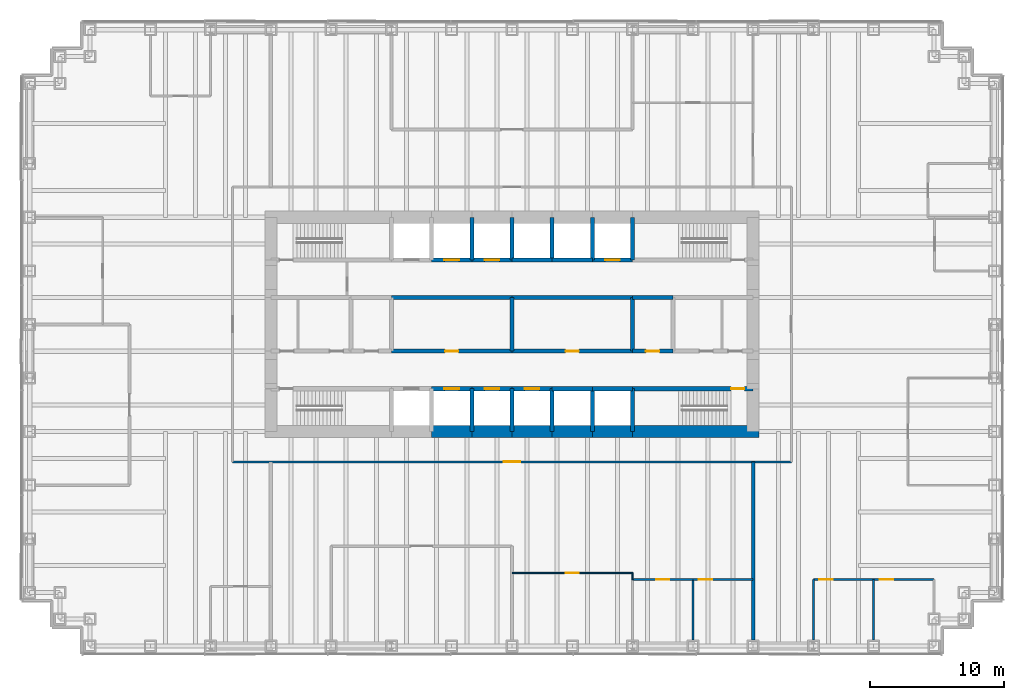
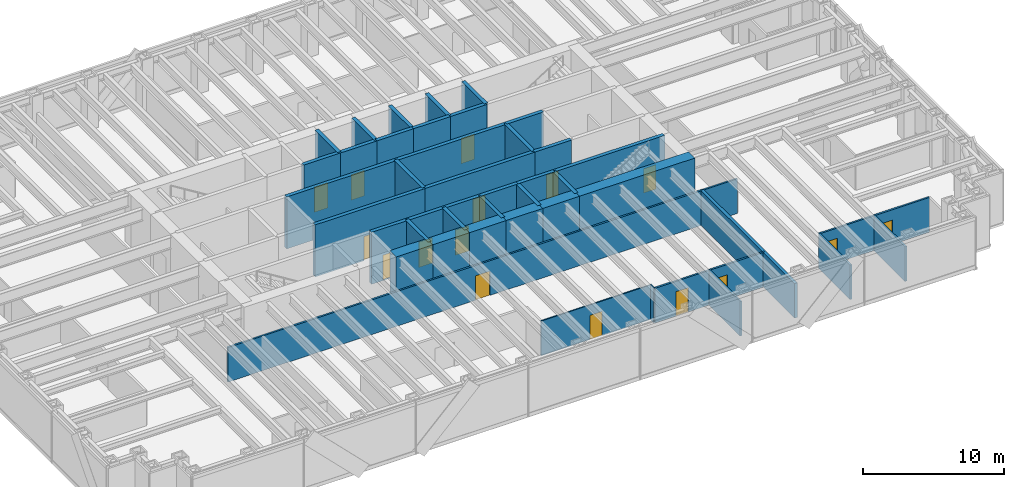
# One storey, part 10 of 13: 45 walls, 16 doors, 16 openings.
"""IFC4 building model written with IfcOpenShell, lengths in metres."""

from ifc_helpers import new_model, si_unit, direction, frame, frame_2d, origin, place, context, subcontext, project, spatial, rectangle, extrude, material, layer, layer_set, type_object, element, fill, save


model = new_model("IFC4")

# Units and contexts
model_context = context("Model", 3, precision=1e-05, world=origin(), true_north=direction((0.0, 1.0)))
body_context = subcontext(model_context, "Body", "Model", "MODEL_VIEW")
ifc_project = project(units=[si_unit("LENGTHUNIT", "METRE"), si_unit("AREAUNIT", "SQUARE_METRE"), si_unit("VOLUMEUNIT", "CUBIC_METRE"), si_unit("PLANEANGLEUNIT", "RADIAN"), si_unit("MASSUNIT", "GRAM", prefix="KILO")], contexts=[model_context])

# Site, building, storey
site_placement = place(None, origin())
site = spatial("IfcSite", under=ifc_project, at=site_placement, CompositionType="ELEMENT")
building_placement = place(site_placement, origin())
building = spatial("IfcBuilding", under=site, at=building_placement, Name="Rheinbord Bourse Tower", CompositionType="ELEMENT")
storey_placement = place(building_placement, frame((0.0, 0.0, 81.5)))
storey = spatial("IfcBuildingStorey", under=building, at=storey_placement, Name="L17", CompositionType="ELEMENT", Elevation=81.5)

# Wall, opening, door
ifc_material_1 = material(Name="Concrete C50/60", Category="concrete")
ifc_layer_1 = layer(ifc_material_1, 0.300048828125)
ifc_layer_set_1 = layer_set([ifc_layer_1], Name="CORE INNER WALL 300")
wall_type_1 = type_object("IfcWallType", Name="CORE INNER WALL 300", PredefinedType="SOLIDWALL", material=ifc_layer_set_1)
wall_1_placement = place(storey_placement, frame((30.0, 19.199951171875, 0.0), z_axis=(0.0, 0.0, 1.0), x_axis=(1.0, 0.0, 0.0)))
wall_1 = element("IfcWall", 1, at=wall_1_placement, inside=storey, type_object=wall_type_1, Name="Core wall A3 L17", PredefinedType="SOLIDWALL", context=body_context, shape_type="SweptSolid", body=[
    extrude(rectangle(XDim=3.0, YDim=0.300048828125, at=frame_2d((1.5, 0.0))), origin(), (0.0, 0.0, 1.0), 4.5),
])
opening_1_placement = place(wall_1_placement, frame((0.949951171875, 0.0, 0.0)))
opening_1 = element("IfcOpeningElement", 2, at=opening_1_placement, cuts=wall_1, Name="Opening PA1", PredefinedType="OPENING", context=body_context, shape_type="SweptSolid", body=[
    extrude(rectangle(XDim=1.10009765625, YDim=2.199951171875, at=frame_2d((0.550048828125, 1.10009765625))), frame((0.0, 0.159912109375, 0.0), z_axis=(0.0, -1.0, 0.0), x_axis=(1.0, 0.0, 0.0)), (0.0, 0.0, 1.0), 0.320068359375),
])
ifc_material_2 = material(Name="Steel landing door", Category="steel")
door_type_1 = type_object("IfcDoorType", Name="LIFT LANDING DOOR 1100", OperationType="DOUBLE_DOOR_SLIDING", PredefinedType="USERDEFINED", material=ifc_material_2)
door_1_placement = place(opening_1_placement, origin())
door_1 = element("IfcDoor", 3, at=door_1_placement, inside=storey, type_object=door_type_1, Name="Lift landing door PA1 L17", ObjectType="LIFT LANDING DOOR", OperationType="DOUBLE_DOOR_SLIDING", OverallHeight=2.199951171875, OverallWidth=1.10009765625, PredefinedType="USERDEFINED", context=body_context, shape_type="SweptSolid", body=[
    extrude(rectangle(XDim=1.10009765625, YDim=2.199951171875, at=frame_2d((0.550048828125, 1.10009765625))), frame((0.0, 0.02490234375, 0.0), z_axis=(0.0, -1.0, 0.0), x_axis=(1.0, 0.0, 0.0)), (0.0, 0.0, 1.0), 0.050048828125),
])
fill(opening_1, door_1)

wall_2_placement = place(storey_placement, frame((33.0, 19.199951171875, 0.0), z_axis=(0.0, 0.0, 1.0), x_axis=(1.0, 0.0, 0.0)))
wall_2 = element("IfcWall", 4, at=wall_2_placement, inside=storey, type_object=wall_type_1, Name="Core wall A4 L17", PredefinedType="SOLIDWALL", context=body_context, shape_type="SweptSolid", body=[
    extrude(rectangle(XDim=3.0, YDim=0.300048828125, at=frame_2d((1.5, 0.0))), origin(), (0.0, 0.0, 1.0), 4.5),
])
opening_2_placement = place(wall_2_placement, frame((0.949951171875, 0.0, 0.0)))
opening_2 = element("IfcOpeningElement", 5, at=opening_2_placement, cuts=wall_2, Name="Opening PA2", PredefinedType="OPENING", context=body_context, shape_type="SweptSolid", body=[
    extrude(rectangle(XDim=1.10009765625, YDim=2.199951171875, at=frame_2d((0.550048828125, 1.10009765625))), frame((0.0, 0.159912109375, 0.0), z_axis=(0.0, -1.0, 0.0), x_axis=(1.0, 0.0, 0.0)), (0.0, 0.0, 1.0), 0.320068359375),
])
door_2_placement = place(opening_2_placement, origin())
door_2 = element("IfcDoor", 6, at=door_2_placement, inside=storey, type_object=door_type_1, Name="Lift landing door PA2 L17", ObjectType="LIFT LANDING DOOR", OperationType="DOUBLE_DOOR_SLIDING", OverallHeight=2.199951171875, OverallWidth=1.10009765625, PredefinedType="USERDEFINED", context=body_context, shape_type="SweptSolid", body=[
    extrude(rectangle(XDim=1.10009765625, YDim=2.199951171875, at=frame_2d((0.550048828125, 1.10009765625))), frame((0.0, 0.02490234375, 0.0), z_axis=(0.0, -1.0, 0.0), x_axis=(1.0, 0.0, 0.0)), (0.0, 0.0, 1.0), 0.050048828125),
])
fill(opening_2, door_2)

wall_3_placement = place(storey_placement, frame((36.0, 19.199951171875, 0.0), z_axis=(0.0, 0.0, 1.0), x_axis=(1.0, 0.0, 0.0)))
wall_3 = element("IfcWall", 7, at=wall_3_placement, inside=storey, type_object=wall_type_1, Name="Core wall A5 L17", PredefinedType="SOLIDWALL", context=body_context, shape_type="SweptSolid", body=[
    extrude(rectangle(XDim=3.0, YDim=0.300048828125, at=frame_2d((1.5, 0.0))), origin(), (0.0, 0.0, 1.0), 4.5),
])
opening_3_placement = place(wall_3_placement, frame((0.949951171875, 0.0, 0.0)))
opening_3 = element("IfcOpeningElement", 8, at=opening_3_placement, cuts=wall_3, Name="Opening PA3", PredefinedType="OPENING", context=body_context, shape_type="SweptSolid", body=[
    extrude(rectangle(XDim=1.10009765625, YDim=2.199951171875, at=frame_2d((0.550048828125, 1.10009765625))), frame((0.0, 0.159912109375, 0.0), z_axis=(0.0, -1.0, 0.0), x_axis=(1.0, 0.0, 0.0)), (0.0, 0.0, 1.0), 0.320068359375),
])
door_3_placement = place(opening_3_placement, origin())
door_3 = element("IfcDoor", 9, at=door_3_placement, inside=storey, type_object=door_type_1, Name="Lift landing door PA3 L17", ObjectType="LIFT LANDING DOOR", OperationType="DOUBLE_DOOR_SLIDING", OverallHeight=2.199951171875, OverallWidth=1.10009765625, PredefinedType="USERDEFINED", context=body_context, shape_type="SweptSolid", body=[
    extrude(rectangle(XDim=1.10009765625, YDim=2.199951171875, at=frame_2d((0.550048828125, 1.10009765625))), frame((0.0, 0.02490234375, 0.0), z_axis=(0.0, -1.0, 0.0), x_axis=(1.0, 0.0, 0.0)), (0.0, 0.0, 1.0), 0.050048828125),
])
fill(opening_3, door_3)

# Walls
for number, where, z_axis, x_axis, name in (
    (10, (39.0, 19.199951171875, 0.0), (0.0, 0.0, 1.0), (1.0, 0.0, 0.0), "Core wall A6 L17"),
    (11, (42.0, 19.199951171875, 0.0), (0.0, 0.0, 1.0), (1.0, 0.0, 0.0), "Core wall A7 L17"),
):
    element("IfcWall", number, at=place(storey_placement, frame(where, z_axis=z_axis, x_axis=x_axis)), inside=storey, type_object=wall_type_1, Name=name, PredefinedType="SOLIDWALL", context=body_context, shape_type="SweptSolid", body=[
        extrude(rectangle(XDim=3.0, YDim=0.300048828125, at=frame_2d((1.5, 0.0))), origin(), (0.0, 0.0, 1.0), 4.5),
    ])

# Wall, opening, door
wall_4_placement = place(storey_placement, frame((45.0, 19.199951171875, 0.0), z_axis=(0.0, 0.0, 1.0), x_axis=(1.0, 0.0, 0.0)))
wall_4 = element("IfcWall", 12, at=wall_4_placement, inside=storey, type_object=wall_type_1, Name="Core wall A8 L17", PredefinedType="SOLIDWALL", context=body_context, shape_type="SweptSolid", body=[
    extrude(rectangle(XDim=9.0, YDim=0.300048828125, at=frame_2d((4.5, 0.0))), origin(), (0.0, 0.0, 1.0), 4.5),
])
opening_4_placement = place(wall_4_placement, frame((7.35009765625, 0.0, 0.0)))
opening_4 = element("IfcOpeningElement", 13, at=opening_4_placement, cuts=wall_4, Name="Opening 1730", PredefinedType="OPENING", context=body_context, shape_type="SweptSolid", body=[
    extrude(rectangle(XDim=1.0, YDim=2.10009765625, at=frame_2d((0.5, 1.050048828125))), frame((0.0, 0.159912109375, 0.0), z_axis=(0.0, -1.0, 0.0), x_axis=(1.0, 0.0, 0.0)), (0.0, 0.0, 1.0), 0.320068359375),
])
ifc_material_3 = material(Name="Steel door", Category="steel")
door_type_2 = type_object("IfcDoorType", Name="DOOR 1000 EI30", OperationType="SINGLE_SWING_LEFT", PredefinedType="DOOR", material=ifc_material_3)
door_4_placement = place(opening_4_placement, origin())
door_4 = element("IfcDoor", 14, at=door_4_placement, inside=storey, type_object=door_type_2, Name="Stair door ST3 L17", OperationType="SINGLE_SWING_RIGHT", OverallHeight=2.10009765625, OverallWidth=1.0, PredefinedType="DOOR", context=body_context, shape_type="SweptSolid", body=[
    extrude(rectangle(XDim=1.0, YDim=2.10009765625, at=frame_2d((0.5, 1.050048828125))), frame((0.0, 0.02490234375, 0.0), z_axis=(0.0, -1.0, 0.0), x_axis=(1.0, 0.0, 0.0)), (0.0, 0.0, 1.0), 0.050048828125),
])
fill(opening_4, door_4)

wall_5_placement = place(storey_placement, frame((30.0, 28.800048828125, 0.0), z_axis=(0.0, 0.0, 1.0), x_axis=(1.0, 0.0, 0.0)))
wall_5 = element("IfcWall", 15, at=wall_5_placement, inside=storey, type_object=wall_type_1, Name="Core wall B3 L17", PredefinedType="SOLIDWALL", context=body_context, shape_type="SweptSolid", body=[
    extrude(rectangle(XDim=3.0, YDim=0.300048828125, at=frame_2d((1.5, 0.0))), origin(), (0.0, 0.0, 1.0), 4.5),
])
opening_5_placement = place(wall_5_placement, frame((0.949951171875, 0.0, 0.0)))
opening_5 = element("IfcOpeningElement", 16, at=opening_5_placement, cuts=wall_5, Name="Opening PA4", PredefinedType="OPENING", context=body_context, shape_type="SweptSolid", body=[
    extrude(rectangle(XDim=1.10009765625, YDim=2.199951171875, at=frame_2d((0.550048828125, 1.10009765625))), frame((0.0, 0.159912109375, 0.0), z_axis=(0.0, -1.0, 0.0), x_axis=(1.0, 0.0, 0.0)), (0.0, 0.0, 1.0), 0.320068359375),
])
door_5_placement = place(opening_5_placement, origin())
door_5 = element("IfcDoor", 17, at=door_5_placement, inside=storey, type_object=door_type_1, Name="Lift landing door PA4 L17", ObjectType="LIFT LANDING DOOR", OperationType="DOUBLE_DOOR_SLIDING", OverallHeight=2.199951171875, OverallWidth=1.10009765625, PredefinedType="USERDEFINED", context=body_context, shape_type="SweptSolid", body=[
    extrude(rectangle(XDim=1.10009765625, YDim=2.199951171875, at=frame_2d((0.550048828125, 1.10009765625))), frame((0.0, 0.02490234375, 0.0), z_axis=(0.0, -1.0, 0.0), x_axis=(1.0, 0.0, 0.0)), (0.0, 0.0, 1.0), 0.050048828125),
])
fill(opening_5, door_5)

wall_6_placement = place(storey_placement, frame((33.0, 28.800048828125, 0.0), z_axis=(0.0, 0.0, 1.0), x_axis=(1.0, 0.0, 0.0)))
wall_6 = element("IfcWall", 18, at=wall_6_placement, inside=storey, type_object=wall_type_1, Name="Core wall B4 L17", PredefinedType="SOLIDWALL", context=body_context, shape_type="SweptSolid", body=[
    extrude(rectangle(XDim=3.0, YDim=0.300048828125, at=frame_2d((1.5, 0.0))), origin(), (0.0, 0.0, 1.0), 4.5),
])
opening_6_placement = place(wall_6_placement, frame((0.949951171875, 0.0, 0.0)))
opening_6 = element("IfcOpeningElement", 19, at=opening_6_placement, cuts=wall_6, Name="Opening PA5", PredefinedType="OPENING", context=body_context, shape_type="SweptSolid", body=[
    extrude(rectangle(XDim=1.10009765625, YDim=2.199951171875, at=frame_2d((0.550048828125, 1.10009765625))), frame((0.0, 0.159912109375, 0.0), z_axis=(0.0, -1.0, 0.0), x_axis=(1.0, 0.0, 0.0)), (0.0, 0.0, 1.0), 0.320068359375),
])
door_6_placement = place(opening_6_placement, origin())
door_6 = element("IfcDoor", 20, at=door_6_placement, inside=storey, type_object=door_type_1, Name="Lift landing door PA5 L17", ObjectType="LIFT LANDING DOOR", OperationType="DOUBLE_DOOR_SLIDING", OverallHeight=2.199951171875, OverallWidth=1.10009765625, PredefinedType="USERDEFINED", context=body_context, shape_type="SweptSolid", body=[
    extrude(rectangle(XDim=1.10009765625, YDim=2.199951171875, at=frame_2d((0.550048828125, 1.10009765625))), frame((0.0, 0.02490234375, 0.0), z_axis=(0.0, -1.0, 0.0), x_axis=(1.0, 0.0, 0.0)), (0.0, 0.0, 1.0), 0.050048828125),
])
fill(opening_6, door_6)

# Walls
for number, where, z_axis, x_axis, name in (
    (21, (36.0, 28.800048828125, 0.0), (0.0, 0.0, 1.0), (1.0, 0.0, 0.0), "Core wall B5 L17"),
    (22, (39.0, 28.800048828125, 0.0), (0.0, 0.0, 1.0), (1.0, 0.0, 0.0), "Core wall B6 L17"),
):
    element("IfcWall", number, at=place(storey_placement, frame(where, z_axis=z_axis, x_axis=x_axis)), inside=storey, type_object=wall_type_1, Name=name, PredefinedType="SOLIDWALL", context=body_context, shape_type="SweptSolid", body=[
        extrude(rectangle(XDim=3.0, YDim=0.300048828125, at=frame_2d((1.5, 0.0))), origin(), (0.0, 0.0, 1.0), 4.5),
    ])

# Wall, opening, door
wall_7_placement = place(storey_placement, frame((42.0, 28.800048828125, 0.0), z_axis=(0.0, 0.0, 1.0), x_axis=(1.0, 0.0, 0.0)))
wall_7 = element("IfcWall", 23, at=wall_7_placement, inside=storey, type_object=wall_type_1, Name="Core wall B7 L17", PredefinedType="SOLIDWALL", context=body_context, shape_type="SweptSolid", body=[
    extrude(rectangle(XDim=3.0, YDim=0.300048828125, at=frame_2d((1.5, 0.0))), origin(), (0.0, 0.0, 1.0), 4.5),
])
opening_7_placement = place(wall_7_placement, frame((0.949951171875, 0.0, 0.0)))
opening_7 = element("IfcOpeningElement", 24, at=opening_7_placement, cuts=wall_7, Name="Opening FL2", PredefinedType="OPENING", context=body_context, shape_type="SweptSolid", body=[
    extrude(rectangle(XDim=1.10009765625, YDim=2.199951171875, at=frame_2d((0.550048828125, 1.10009765625))), frame((0.0, 0.159912109375, 0.0), z_axis=(0.0, -1.0, 0.0), x_axis=(1.0, 0.0, 0.0)), (0.0, 0.0, 1.0), 0.320068359375),
])
door_7_placement = place(opening_7_placement, origin())
door_7 = element("IfcDoor", 25, at=door_7_placement, inside=storey, type_object=door_type_1, Name="Lift landing door FL2 L17", ObjectType="LIFT LANDING DOOR", OperationType="DOUBLE_DOOR_SLIDING", OverallHeight=2.199951171875, OverallWidth=1.10009765625, PredefinedType="USERDEFINED", context=body_context, shape_type="SweptSolid", body=[
    extrude(rectangle(XDim=1.10009765625, YDim=2.199951171875, at=frame_2d((0.550048828125, 1.10009765625))), frame((0.0, 0.02490234375, 0.0), z_axis=(0.0, -1.0, 0.0), x_axis=(1.0, 0.0, 0.0)), (0.0, 0.0, 1.0), 0.050048828125),
])
fill(opening_7, door_7)

wall_8_placement = place(storey_placement, frame((27.0, 22.0, 0.0), z_axis=(0.0, 0.0, 1.0), x_axis=(1.0, 0.0, 0.0)))
wall_8 = element("IfcWall", 26, at=wall_8_placement, inside=storey, type_object=wall_type_1, Name="Core wall C3 L17", PredefinedType="SOLIDWALL", context=body_context, shape_type="SweptSolid", body=[
    extrude(rectangle(XDim=9.0, YDim=0.300048828125, at=frame_2d((4.5, 0.0))), origin(), (0.0, 0.0, 1.0), 4.5),
])
opening_8_placement = place(wall_8_placement, frame((4.0, 0.0, 0.0)))
opening_8 = element("IfcOpeningElement", 27, at=opening_8_placement, cuts=wall_8, Name="Opening 17R3", PredefinedType="OPENING", context=body_context, shape_type="SweptSolid", body=[
    extrude(rectangle(XDim=1.0, YDim=2.10009765625, at=frame_2d((0.5, 1.050048828125))), frame((0.0, 0.159912109375, 0.0), z_axis=(0.0, -1.0, 0.0), x_axis=(1.0, 0.0, 0.0)), (0.0, 0.0, 1.0), 0.320068359375),
])
door_8_placement = place(opening_8_placement, origin())
door_8 = element("IfcDoor", 28, at=door_8_placement, inside=storey, type_object=door_type_2, Name="Riser door L17", OperationType="SINGLE_SWING_LEFT", OverallHeight=2.10009765625, OverallWidth=1.0, PredefinedType="DOOR", context=body_context, shape_type="SweptSolid", body=[
    extrude(rectangle(XDim=1.0, YDim=2.10009765625, at=frame_2d((0.5, 1.050048828125))), frame((0.0, 0.02490234375, 0.0), z_axis=(0.0, -1.0, 0.0), x_axis=(1.0, 0.0, 0.0)), (0.0, 0.0, 1.0), 0.050048828125),
])
fill(opening_8, door_8)

wall_9_placement = place(storey_placement, frame((36.0, 22.0, 0.0), z_axis=(0.0, 0.0, 1.0), x_axis=(1.0, 0.0, 0.0)))
wall_9 = element("IfcWall", 29, at=wall_9_placement, inside=storey, type_object=wall_type_1, Name="Core wall C4 L17", PredefinedType="SOLIDWALL", context=body_context, shape_type="SweptSolid", body=[
    extrude(rectangle(XDim=9.0, YDim=0.300048828125, at=frame_2d((4.5, 0.0))), origin(), (0.0, 0.0, 1.0), 4.5),
])
opening_9_placement = place(wall_9_placement, frame((4.0, 0.0, 0.0)))
opening_9 = element("IfcOpeningElement", 30, at=opening_9_placement, cuts=wall_9, Name="Opening 17R4", PredefinedType="OPENING", context=body_context, shape_type="SweptSolid", body=[
    extrude(rectangle(XDim=1.0, YDim=2.10009765625, at=frame_2d((0.5, 1.050048828125))), frame((0.0, 0.159912109375, 0.0), z_axis=(0.0, -1.0, 0.0), x_axis=(1.0, 0.0, 0.0)), (0.0, 0.0, 1.0), 0.320068359375),
])
door_9_placement = place(opening_9_placement, origin())
door_9 = element("IfcDoor", 31, at=door_9_placement, inside=storey, type_object=door_type_2, Name="Store door L17", OperationType="SINGLE_SWING_LEFT", OverallHeight=2.10009765625, OverallWidth=1.0, PredefinedType="DOOR", context=body_context, shape_type="SweptSolid", body=[
    extrude(rectangle(XDim=1.0, YDim=2.10009765625, at=frame_2d((0.5, 1.050048828125))), frame((0.0, 0.02490234375, 0.0), z_axis=(0.0, -1.0, 0.0), x_axis=(1.0, 0.0, 0.0)), (0.0, 0.0, 1.0), 0.050048828125),
])
fill(opening_9, door_9)

wall_10_placement = place(storey_placement, frame((45.0, 22.0, 0.0), z_axis=(0.0, 0.0, 1.0), x_axis=(1.0, 0.0, 0.0)))
wall_10 = element("IfcWall", 32, at=wall_10_placement, inside=storey, type_object=wall_type_1, Name="Core wall C5 L17", PredefinedType="SOLIDWALL", context=body_context, shape_type="SweptSolid", body=[
    extrude(rectangle(XDim=3.0, YDim=0.300048828125, at=frame_2d((1.5, 0.0))), origin(), (0.0, 0.0, 1.0), 4.5),
])
opening_10_placement = place(wall_10_placement, frame((1.0, 0.0, 0.0)))
opening_10 = element("IfcOpeningElement", 33, at=opening_10_placement, cuts=wall_10, Name="Opening 17R5", PredefinedType="OPENING", context=body_context, shape_type="SweptSolid", body=[
    extrude(rectangle(XDim=1.0, YDim=2.10009765625, at=frame_2d((0.5, 1.050048828125))), frame((0.0, 0.159912109375, 0.0), z_axis=(0.0, -1.0, 0.0), x_axis=(1.0, 0.0, 0.0)), (0.0, 0.0, 1.0), 0.320068359375),
])
ifc_material_4 = material(Name="Timber door", Category="wood")
door_type_3 = type_object("IfcDoorType", Name="DOOR 1000 WC", OperationType="SINGLE_SWING_LEFT", PredefinedType="DOOR", material=ifc_material_4)
door_10_placement = place(opening_10_placement, origin())
door_10 = element("IfcDoor", 34, at=door_10_placement, inside=storey, type_object=door_type_3, Name="Accessible WC door L17", OperationType="SINGLE_SWING_LEFT", OverallHeight=2.10009765625, OverallWidth=1.0, PredefinedType="DOOR", context=body_context, shape_type="SweptSolid", body=[
    extrude(rectangle(XDim=1.0, YDim=2.10009765625, at=frame_2d((0.5, 1.050048828125))), frame((0.0, 0.02490234375, 0.0), z_axis=(0.0, -1.0, 0.0), x_axis=(1.0, 0.0, 0.0)), (0.0, 0.0, 1.0), 0.050048828125),
])
fill(opening_10, door_10)

# Walls
for number, where, z_axis, x_axis, name in (
    (35, (27.0, 26.0, 0.0), (0.0, 0.0, 1.0), (1.0, 0.0, 0.0), "Core wall D3 L17"),
    (36, (36.0, 26.0, 0.0), (0.0, 0.0, 1.0), (1.0, 0.0, 0.0), "Core wall D4 L17"),
):
    element("IfcWall", number, at=place(storey_placement, frame(where, z_axis=z_axis, x_axis=x_axis)), inside=storey, type_object=wall_type_1, Name=name, PredefinedType="SOLIDWALL", context=body_context, shape_type="SweptSolid", body=[
        extrude(rectangle(XDim=9.0, YDim=0.300048828125, at=frame_2d((4.5, 0.0))), origin(), (0.0, 0.0, 1.0), 4.5),
    ])
wall_11_placement = place(storey_placement, frame((45.0, 26.0, 0.0), z_axis=(0.0, 0.0, 1.0), x_axis=(1.0, 0.0, 0.0)))
element("IfcWall", 37, at=wall_11_placement, inside=storey, type_object=wall_type_1, Name="Core wall D5 L17", PredefinedType="SOLIDWALL", context=body_context, shape_type="SweptSolid", body=[
    extrude(rectangle(XDim=3.0, YDim=0.300048828125, at=frame_2d((1.5, 0.0))), origin(), (0.0, 0.0, 1.0), 4.5),
])
for number, where, z_axis, x_axis, name in (
    (38, (33.0, 16.0, 0.0), (0.0, 0.0, 1.0), (0.0, 1.0, 0.0), "Core wall SX33 L17"),
    (39, (33.0, 28.800048828125, 0.0), (0.0, 0.0, 1.0), (0.0, 1.0, 0.0), "Core wall NX33 L17"),
    (40, (36.0, 16.0, 0.0), (0.0, 0.0, 1.0), (0.0, 1.0, 0.0), "Core wall SX36 L17"),
    (41, (36.0, 28.800048828125, 0.0), (0.0, 0.0, 1.0), (0.0, 1.0, 0.0), "Core wall NX36 L17"),
    (42, (39.0, 16.0, 0.0), (0.0, 0.0, 1.0), (0.0, 1.0, 0.0), "Core wall SX39 L17"),
    (43, (39.0, 28.800048828125, 0.0), (0.0, 0.0, 1.0), (0.0, 1.0, 0.0), "Core wall NX39 L17"),
    (44, (42.0, 16.0, 0.0), (0.0, 0.0, 1.0), (0.0, 1.0, 0.0), "Core wall SX42 L17"),
    (45, (42.0, 28.800048828125, 0.0), (0.0, 0.0, 1.0), (0.0, 1.0, 0.0), "Core wall NX42 L17"),
    (46, (45.0, 16.0, 0.0), (0.0, 0.0, 1.0), (0.0, 1.0, 0.0), "Core wall SX45 L17"),
    (47, (45.0, 28.800048828125, 0.0), (0.0, 0.0, 1.0), (0.0, 1.0, 0.0), "Core wall NX45 L17"),
):
    element("IfcWall", number, at=place(storey_placement, frame(where, z_axis=z_axis, x_axis=x_axis)), inside=storey, type_object=wall_type_1, Name=name, PredefinedType="SOLIDWALL", context=body_context, shape_type="SweptSolid", body=[
        extrude(rectangle(XDim=3.199951171875, YDim=0.300048828125, at=frame_2d((1.60009765625, 0.0))), origin(), (0.0, 0.0, 1.0), 4.5),
    ])
for number, where, z_axis, x_axis, name in (
    (48, (36.0, 22.0, 0.0), (0.0, 0.0, 1.0), (0.0, 1.0, 0.0), "Core wall MX36 L17"),
    (49, (45.0, 22.0, 0.0), (0.0, 0.0, 1.0), (0.0, 1.0, 0.0), "Core wall MX45 L17"),
):
    element("IfcWall", number, at=place(storey_placement, frame(where, z_axis=z_axis, x_axis=x_axis)), inside=storey, type_object=wall_type_1, Name=name, PredefinedType="SOLIDWALL", context=body_context, shape_type="SweptSolid", body=[
        extrude(rectangle(XDim=4.0, YDim=0.300048828125, at=frame_2d((2.0, 0.0))), origin(), (0.0, 0.0, 1.0), 4.5),
    ])
ifc_material_5 = material(Name="Concrete C50/60", Category="concrete")
ifc_layer_2 = layer(ifc_material_5, 0.89990234375)
ifc_layer_set_2 = layer_set([ifc_layer_2], Name="CORE WALL 900")
wall_type_2 = type_object("IfcWallType", Name="CORE WALL 900", PredefinedType="SHEAR", material=ifc_layer_set_2)
for number, where, z_axis, x_axis, name in (
    (50, (30.0, 16.0, 0.0), (0.0, 0.0, 1.0), (1.0, 0.0, 0.0), "Core wall S3 L17"),
    (51, (33.0, 16.0, 0.0), (0.0, 0.0, 1.0), (1.0, 0.0, 0.0), "Core wall S4 L17"),
    (52, (36.0, 16.0, 0.0), (0.0, 0.0, 1.0), (1.0, 0.0, 0.0), "Core wall S5 L17"),
    (53, (39.0, 16.0, 0.0), (0.0, 0.0, 1.0), (1.0, 0.0, 0.0), "Core wall S6 L17"),
    (54, (42.0, 16.0, 0.0), (0.0, 0.0, 1.0), (1.0, 0.0, 0.0), "Core wall S7 L17"),
):
    element("IfcWall", number, at=place(storey_placement, frame(where, z_axis=z_axis, x_axis=x_axis)), inside=storey, type_object=wall_type_2, Name=name, PredefinedType="SHEAR", context=body_context, shape_type="SweptSolid", body=[
        extrude(rectangle(XDim=3.0, YDim=0.89990234375, at=frame_2d((1.5, 0.0))), origin(), (0.0, 0.0, 1.0), 4.5),
    ])
wall_12_placement = place(storey_placement, frame((45.0, 16.0, 0.0), z_axis=(0.0, 0.0, 1.0), x_axis=(1.0, 0.0, 0.0)))
element("IfcWall", 55, at=wall_12_placement, inside=storey, type_object=wall_type_2, Name="Core wall S8 L17", PredefinedType="SHEAR", context=body_context, shape_type="SweptSolid", body=[
    extrude(rectangle(XDim=9.449951171875, YDim=0.89990234375, at=frame_2d((4.72509765625, 0.0))), origin(), (0.0, 0.0, 1.0), 4.5),
])

# Wall, opening, door
ifc_material_6 = material(Name="Gypsum board corridor partition", Category="gypsum board")
ifc_layer_3 = layer(ifc_material_6, 0.14990234375)
ifc_layer_set_3 = layer_set([ifc_layer_3], Name="CORRIDOR PARTITION 150 EI30")
wall_type_3 = type_object("IfcWallType", Name="CORRIDOR PARTITION 150 EI30", PredefinedType="PARTITIONING", material=ifc_layer_set_3)
wall_13_placement = place(storey_placement, frame((15.14990234375, 13.75, 0.0), z_axis=(0.0, 0.0, 1.0), x_axis=(1.0, 0.0, 0.0)))
wall_13 = element("IfcWall", 56, at=wall_13_placement, inside=storey, type_object=wall_type_3, Name="Partition L17-09", PredefinedType="PARTITIONING", context=body_context, shape_type="SweptSolid", body=[
    extrude(rectangle(XDim=41.7001953125, YDim=0.14990234375, at=frame_2d((20.85009765625, 0.0))), origin(), (0.0, 0.0, 1.0), 3.0),
])
opening_11_placement = place(wall_13_placement, frame((20.25, 0.0, 0.0)))
opening_11 = element("IfcOpeningElement", 57, at=opening_11_placement, cuts=wall_13, Name="Opening 17D18", PredefinedType="OPENING", context=body_context, shape_type="SweptSolid", body=[
    extrude(rectangle(XDim=1.199951171875, YDim=2.10009765625, at=frame_2d((0.60009765625, 1.050048828125))), frame((0.0, 0.0849609375, 0.0), z_axis=(0.0, -1.0, 0.0), x_axis=(1.0, 0.0, 0.0)), (0.0, 0.0, 1.0), 0.169921875),
])
ifc_material_7 = material(Name="Timber fire door", Category="wood")
door_type_4 = type_object("IfcDoorType", Name="SUITE ENTRANCE DOOR 1200 EI30", OperationType="SINGLE_SWING_LEFT", PredefinedType="DOOR", material=ifc_material_7)
door_11_placement = place(opening_11_placement, origin())
door_11 = element("IfcDoor", 58, at=door_11_placement, inside=storey, type_object=door_type_4, Name="Suite entrance 2 door L17", OperationType="SINGLE_SWING_LEFT", OverallHeight=2.10009765625, OverallWidth=1.199951171875, PredefinedType="DOOR", context=body_context, shape_type="SweptSolid", body=[
    extrude(rectangle(XDim=1.199951171875, YDim=2.10009765625, at=frame_2d((0.60009765625, 1.050048828125))), frame((0.0, 0.02490234375, 0.0), z_axis=(0.0, -1.0, 0.0), x_axis=(1.0, 0.0, 0.0)), (0.0, 0.0, 1.0), 0.050048828125),
])
fill(opening_11, door_11)

# Wall
ifc_material_8 = material(Name="Gypsum board tenancy wall", Category="gypsum board")
ifc_layer_4 = layer(ifc_material_8, 0.25)
ifc_layer_set_4 = layer_set([ifc_layer_4], Name="DEMISING PARTITION 250 EI60")
wall_type_4 = type_object("IfcWallType", Name="DEMISING PARTITION 250 EI60", PredefinedType="PARTITIONING", material=ifc_layer_set_4)
wall_14_placement = place(storey_placement, frame((54.0, 0.449951171875, 0.0), z_axis=(0.0, 0.0, 1.0), x_axis=(0.0, 1.0, 0.0)))
element("IfcWall", 59, at=wall_14_placement, inside=storey, type_object=wall_type_4, Name="Partition L17-36", PredefinedType="PARTITIONING", context=body_context, shape_type="SweptSolid", body=[
    extrude(rectangle(XDim=13.300048828125, YDim=0.25, at=frame_2d((6.64990234375, 0.0))), origin(), (0.0, 0.0, 1.0), 3.0),
])

# Wall, opening, door
ifc_material_9 = material(Name="Gypsum board fire partition", Category="gypsum board")
ifc_layer_5 = layer(ifc_material_9, 0.14990234375)
ifc_layer_set_5 = layer_set([ifc_layer_5], Name="FIRE PARTITION 150 EI60")
wall_type_5 = type_object("IfcWallType", Name="FIRE PARTITION 150 EI60", PredefinedType="PARTITIONING", material=ifc_layer_set_5)
wall_15_placement = place(storey_placement, frame((45.0, 4.949951171875, 0.0), z_axis=(0.0, 0.0, 1.0), x_axis=(1.0, 0.0, 0.0)))
wall_15 = element("IfcWall", 60, at=wall_15_placement, inside=storey, type_object=wall_type_5, Name="Partition L17-02", PredefinedType="PARTITIONING", context=body_context, shape_type="SweptSolid", body=[
    extrude(rectangle(XDim=4.5, YDim=0.14990234375, at=frame_2d((2.25, 0.0))), origin(), (0.0, 0.0, 1.0), 3.0),
])
opening_12_placement = place(wall_15_placement, frame((1.75, 0.0, 0.0)))
opening_12 = element("IfcOpeningElement", 61, at=opening_12_placement, cuts=wall_15, Name="Opening 17D02", PredefinedType="OPENING", context=body_context, shape_type="SweptSolid", body=[
    extrude(rectangle(XDim=1.0, YDim=2.10009765625, at=frame_2d((0.5, 1.050048828125))), frame((0.0, 0.0849609375, 0.0), z_axis=(0.0, -1.0, 0.0), x_axis=(1.0, 0.0, 0.0)), (0.0, 0.0, 1.0), 0.169921875),
])
ifc_material_10 = material(Name="Timber fire door", Category="wood")
door_type_5 = type_object("IfcDoorType", Name="FIRE DOOR 1000 EI60", OperationType="SINGLE_SWING_LEFT", PredefinedType="DOOR", material=ifc_material_10)
door_12_placement = place(opening_12_placement, origin())
door_12 = element("IfcDoor", 62, at=door_12_placement, inside=storey, type_object=door_type_5, Name="Comms room door L17", OperationType="SINGLE_SWING_LEFT", OverallHeight=2.10009765625, OverallWidth=1.0, PredefinedType="DOOR", context=body_context, shape_type="SweptSolid", body=[
    extrude(rectangle(XDim=1.0, YDim=2.10009765625, at=frame_2d((0.5, 1.050048828125))), frame((0.0, 0.02490234375, 0.0), z_axis=(0.0, -1.0, 0.0), x_axis=(1.0, 0.0, 0.0)), (0.0, 0.0, 1.0), 0.050048828125),
])
fill(opening_12, door_12)

# Wall
wall_16_placement = place(storey_placement, frame((49.5, 0.449951171875, 0.0), z_axis=(0.0, 0.0, 1.0), x_axis=(0.0, 1.0, 0.0)))
element("IfcWall", 63, at=wall_16_placement, inside=storey, type_object=wall_type_5, Name="Partition L17-35", PredefinedType="PARTITIONING", context=body_context, shape_type="SweptSolid", body=[
    extrude(rectangle(XDim=4.5, YDim=0.14990234375, at=frame_2d((2.25, 0.0))), origin(), (0.0, 0.0, 1.0), 3.0),
])

# Wall, opening, door
ifc_material_11 = material(Name="Toughened laminated glass partition", Category="glass")
ifc_layer_6 = layer(ifc_material_11, 0.10009765625)
ifc_layer_set_6 = layer_set([ifc_layer_6], Name="GLAZED PARTITION 100")
wall_type_6 = type_object("IfcWallType", Name="GLAZED PARTITION 100", PredefinedType="PARTITIONING", material=ifc_layer_set_6)
wall_17_placement = place(storey_placement, frame((36.0, 5.449951171875, 0.0), z_axis=(0.0, 0.0, 1.0), x_axis=(1.0, 0.0, 0.0)))
wall_17 = element("IfcWall", 64, at=wall_17_placement, inside=storey, type_object=wall_type_6, Name="Partition L17-05", PredefinedType="PARTITIONING", context=body_context, shape_type="SweptSolid", body=[
    extrude(rectangle(XDim=9.0, YDim=0.10009765625, at=frame_2d((4.5, 0.0))), origin(), (0.0, 0.0, 1.0), 3.0),
])
opening_13_placement = place(wall_17_placement, frame((4.0, 0.0, 0.0)))
opening_13 = element("IfcOpeningElement", 65, at=opening_13_placement, cuts=wall_17, Name="Opening 17D06", PredefinedType="OPENING", context=body_context, shape_type="SweptSolid", body=[
    extrude(rectangle(XDim=1.0, YDim=2.10009765625, at=frame_2d((0.5, 1.050048828125))), frame((0.0, 0.06005859375, 0.0), z_axis=(0.0, -1.0, 0.0), x_axis=(1.0, 0.0, 0.0)), (0.0, 0.0, 1.0), 0.1201171875),
])
ifc_material_12 = material(Name="Timber door", Category="wood")
door_type_6 = type_object("IfcDoorType", Name="ROOM DOOR 1000", OperationType="SINGLE_SWING_LEFT", PredefinedType="DOOR", material=ifc_material_12)
door_13_placement = place(opening_13_placement, origin())
door_13 = element("IfcDoor", 66, at=door_13_placement, inside=storey, type_object=door_type_6, Name="Meeting room door L17", OperationType="SINGLE_SWING_LEFT", OverallHeight=2.10009765625, OverallWidth=1.0, PredefinedType="DOOR", context=body_context, shape_type="SweptSolid", body=[
    extrude(rectangle(XDim=1.0, YDim=2.10009765625, at=frame_2d((0.5, 1.050048828125))), frame((0.0, 0.02490234375, 0.0), z_axis=(0.0, -1.0, 0.0), x_axis=(1.0, 0.0, 0.0)), (0.0, 0.0, 1.0), 0.050048828125),
])
fill(opening_13, door_13)

# Wall
wall_18_placement = place(storey_placement, frame((45.0, 4.949951171875, 0.0), z_axis=(0.0, 0.0, 1.0), x_axis=(0.0, 1.0, 0.0)))
element("IfcWall", 67, at=wall_18_placement, inside=storey, type_object=wall_type_6, Name="Partition L17-33", PredefinedType="PARTITIONING", context=body_context, shape_type="SweptSolid", body=[
    extrude(rectangle(XDim=0.5, YDim=0.10009765625, at=frame_2d((0.25, 0.0))), origin(), (0.0, 0.0, 1.0), 3.0),
])

# Wall, opening, door
ifc_material_13 = material(Name="Gypsum board partition", Category="gypsum board")
ifc_layer_7 = layer(ifc_material_13, 0.14990234375)
ifc_layer_set_7 = layer_set([ifc_layer_7], Name="PARTITION 150")
wall_type_7 = type_object("IfcWallType", Name="PARTITION 150", PredefinedType="PARTITIONING", material=ifc_layer_set_7)
wall_19_placement = place(storey_placement, frame((49.5, 4.949951171875, 0.0), z_axis=(0.0, 0.0, 1.0), x_axis=(1.0, 0.0, 0.0)))
wall_19 = element("IfcWall", 68, at=wall_19_placement, inside=storey, type_object=wall_type_7, Name="Partition L17-03", PredefinedType="PARTITIONING", context=body_context, shape_type="SweptSolid", body=[
    extrude(rectangle(XDim=4.5, YDim=0.14990234375, at=frame_2d((2.25, 0.0))), origin(), (0.0, 0.0, 1.0), 3.0),
])
opening_14_placement = place(wall_19_placement, frame((0.449951171875, 0.0, 0.0)))
opening_14 = element("IfcOpeningElement", 69, at=opening_14_placement, cuts=wall_19, Name="Opening 17D03", PredefinedType="OPENING", context=body_context, shape_type="SweptSolid", body=[
    extrude(rectangle(XDim=1.0, YDim=2.10009765625, at=frame_2d((0.5, 1.050048828125))), frame((0.0, 0.0849609375, 0.0), z_axis=(0.0, -1.0, 0.0), x_axis=(1.0, 0.0, 0.0)), (0.0, 0.0, 1.0), 0.169921875),
])
door_14_placement = place(opening_14_placement, origin())
door_14 = element("IfcDoor", 70, at=door_14_placement, inside=storey, type_object=door_type_6, Name="Pantry door L17", OperationType="SINGLE_SWING_LEFT", OverallHeight=2.10009765625, OverallWidth=1.0, PredefinedType="DOOR", context=body_context, shape_type="SweptSolid", body=[
    extrude(rectangle(XDim=1.0, YDim=2.10009765625, at=frame_2d((0.5, 1.050048828125))), frame((0.0, 0.02490234375, 0.0), z_axis=(0.0, -1.0, 0.0), x_axis=(1.0, 0.0, 0.0)), (0.0, 0.0, 1.0), 0.050048828125),
])
fill(opening_14, door_14)

# Wall, openings, doors
wall_20_placement = place(storey_placement, frame((58.5, 4.949951171875, 0.0), z_axis=(0.0, 0.0, 1.0), x_axis=(1.0, 0.0, 0.0)))
wall_20 = element("IfcWall", 71, at=wall_20_placement, inside=storey, type_object=wall_type_7, Name="Partition L17-04", PredefinedType="PARTITIONING", context=body_context, shape_type="SweptSolid", body=[
    extrude(rectangle(XDim=9.0, YDim=0.14990234375, at=frame_2d((4.5, 0.0))), origin(), (0.0, 0.0, 1.0), 3.0),
])
opening_15_placement = place(wall_20_placement, frame((0.449951171875, 0.0, 0.0)))
opening_15 = element("IfcOpeningElement", 72, at=opening_15_placement, cuts=wall_20, Name="Opening 17D04", PredefinedType="OPENING", context=body_context, shape_type="SweptSolid", body=[
    extrude(rectangle(XDim=1.0, YDim=2.10009765625, at=frame_2d((0.5, 1.050048828125))), frame((0.0, 0.0849609375, 0.0), z_axis=(0.0, -1.0, 0.0), x_axis=(1.0, 0.0, 0.0)), (0.0, 0.0, 1.0), 0.169921875),
])
opening_16_placement = place(wall_20_placement, frame((4.949951171875, 0.0, 0.0)))
opening_16 = element("IfcOpeningElement", 73, at=opening_16_placement, cuts=wall_20, Name="Opening 17D05", PredefinedType="OPENING", context=body_context, shape_type="SweptSolid", body=[
    extrude(rectangle(XDim=1.0, YDim=2.10009765625, at=frame_2d((0.5, 1.050048828125))), frame((0.0, 0.0849609375, 0.0), z_axis=(0.0, -1.0, 0.0), x_axis=(1.0, 0.0, 0.0)), (0.0, 0.0, 1.0), 0.169921875),
])
door_15_placement = place(opening_15_placement, origin())
door_15 = element("IfcDoor", 74, at=door_15_placement, inside=storey, type_object=door_type_6, Name="Office door L17", OperationType="SINGLE_SWING_LEFT", OverallHeight=2.10009765625, OverallWidth=1.0, PredefinedType="DOOR", context=body_context, shape_type="SweptSolid", body=[
    extrude(rectangle(XDim=1.0, YDim=2.10009765625, at=frame_2d((0.5, 1.050048828125))), frame((0.0, 0.02490234375, 0.0), z_axis=(0.0, -1.0, 0.0), x_axis=(1.0, 0.0, 0.0)), (0.0, 0.0, 1.0), 0.050048828125),
])
fill(opening_15, door_15)
door_16_placement = place(opening_16_placement, origin())
door_16 = element("IfcDoor", 75, at=door_16_placement, inside=storey, type_object=door_type_6, Name="Office door L17", OperationType="SINGLE_SWING_RIGHT", OverallHeight=2.10009765625, OverallWidth=1.0, PredefinedType="DOOR", context=body_context, shape_type="SweptSolid", body=[
    extrude(rectangle(XDim=1.0, YDim=2.10009765625, at=frame_2d((0.5, 1.050048828125))), frame((0.0, 0.02490234375, 0.0), z_axis=(0.0, -1.0, 0.0), x_axis=(1.0, 0.0, 0.0)), (0.0, 0.0, 1.0), 0.050048828125),
])
fill(opening_16, door_16)

# Walls
for number, where, z_axis, x_axis, name in (
    (76, (58.5, 0.449951171875, 0.0), (0.0, 0.0, 1.0), (0.0, 1.0, 0.0), "Partition L17-39"),
    (77, (63.0, 0.449951171875, 0.0), (0.0, 0.0, 1.0), (0.0, 1.0, 0.0), "Partition L17-40"),
):
    element("IfcWall", number, at=place(storey_placement, frame(where, z_axis=z_axis, x_axis=x_axis)), inside=storey, type_object=wall_type_7, Name=name, PredefinedType="PARTITIONING", context=body_context, shape_type="SweptSolid", body=[
        extrude(rectangle(XDim=4.5, YDim=0.14990234375, at=frame_2d((2.25, 0.0))), origin(), (0.0, 0.0, 1.0), 3.0),
    ])

save(model, "model.ifc")
